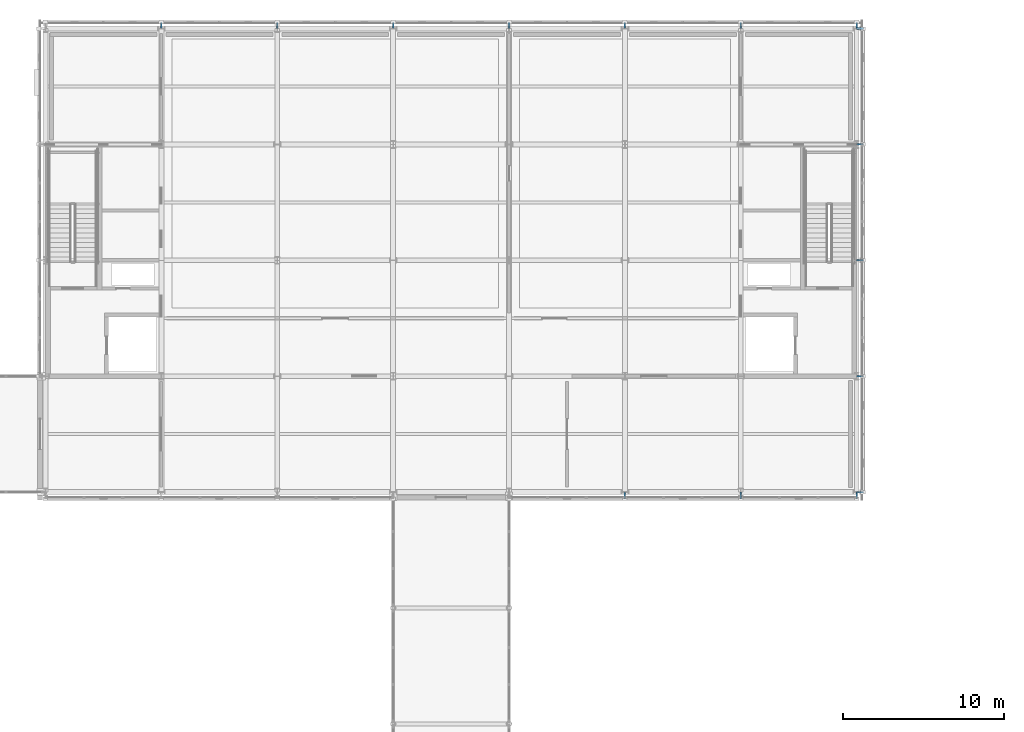
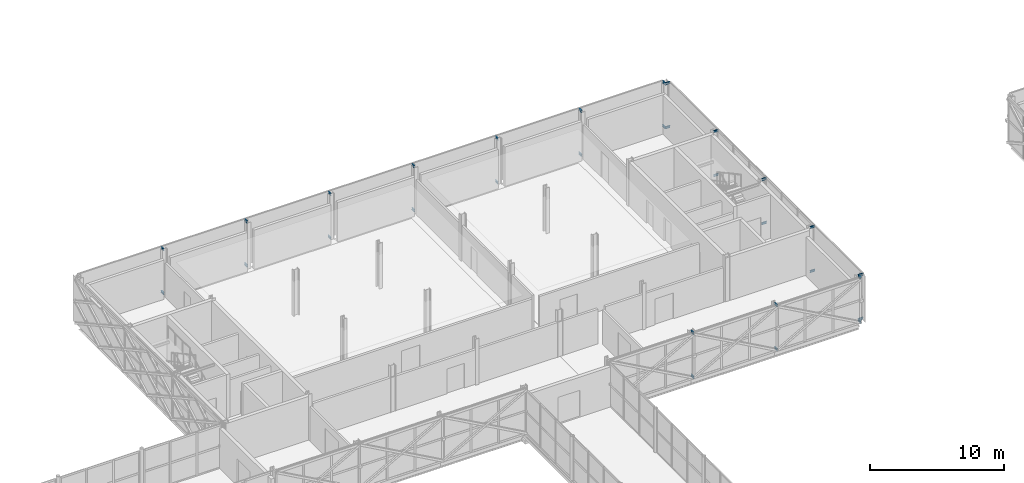
# One storey, part 84 of 146: 30 beams.
"""IFC4 building model written with IfcOpenShell, lengths in metres."""

from ifc_helpers import new_model, si_unit, direction, frame, origin, origin_2d, place, context, subcontext, project, spatial, i_section, extrude, material, material_profile, profile_set, type_object, element, save


model = new_model("IFC4")

# Units and contexts
model_context = context("Model", 3, precision=1e-05, world=origin(), true_north=direction((0.0, 1.0)))
body_context = subcontext(model_context, "Body", "Model", "MODEL_VIEW")
ifc_project = project(units=[si_unit("LENGTHUNIT", "METRE"), si_unit("AREAUNIT", "SQUARE_METRE"), si_unit("VOLUMEUNIT", "CUBIC_METRE"), si_unit("PLANEANGLEUNIT", "RADIAN"), si_unit("MASSUNIT", "GRAM", prefix="KILO")], contexts=[model_context])

# Site, building, storey
site_placement = place(None, origin())
site = spatial("IfcSite", under=ifc_project, at=site_placement, CompositionType="ELEMENT")
building_placement = place(site_placement, origin())
building = spatial("IfcBuilding", under=site, at=building_placement, Name="Zlatovets Crest Museum", CompositionType="ELEMENT")
storey_placement = place(building_placement, frame((0.0, 0.0, 4.5)))
storey = spatial("IfcBuildingStorey", under=building, at=storey_placement, Name="L01", CompositionType="ELEMENT", Elevation=4.5)

# Beams
ifc_material = material(Name="Structural steel S355J2", Category="steel")
ifc_material_profile = material_profile(ifc_material, i_section(OverallWidth=0.10009765625, OverallDepth=0.199951171875, WebThickness=0.005615234375, FlangeThickness=0.008544921875, FilletRadius=0.011962890625, at=origin_2d()), Name="IPE 200")
ifc_profile_set = profile_set([ifc_material_profile], Name="Structural steel S355J2")
beam_type = type_object("IfcBeamType", Name="Beam_PR-02", PredefinedType="LINTEL", material=ifc_profile_set)
for number, where, z_axis, x_axis, name in (
    (1, (93.60009765625, 86.39990234375, 0.10009765625), (0.0, -1.0, 0.0), (1.0, 0.0, 0.0), "Lattice Structural Outrigger Tie"),
    (2, (93.60009765625, 86.39990234375, 4.10009765625), (0.0, -1.0, 0.0), (1.0, 0.0, 0.0), "Lattice Structural Outrigger Tie"),
    (3, (100.800048828125, 86.39990234375, 0.10009765625), (0.0, -1.0, 0.0), (1.0, 0.0, 0.0), "Lattice Structural Outrigger Tie"),
    (4, (100.800048828125, 86.39990234375, 4.10009765625), (0.0, -1.0, 0.0), (1.0, 0.0, 0.0), "Lattice Structural Outrigger Tie"),
    (5, (108.0, 86.39990234375, 0.10009765625), (0.0, -1.0, 0.0), (1.0, 0.0, 0.0), "Lattice Structural Outrigger Tie"),
    (6, (108.0, 86.39990234375, 4.10009765625), (0.0, -1.0, 0.0), (1.0, 0.0, 0.0), "Lattice Structural Outrigger Tie"),
    (7, (108.0, 86.39990234375, 0.10009765625), (1.0, 0.0, 0.0), (0.0, 1.0, 0.0), "Lattice Structural Outrigger Tie"),
    (8, (108.0, 86.39990234375, 4.10009765625), (1.0, 0.0, 0.0), (0.0, 1.0, 0.0), "Lattice Structural Outrigger Tie"),
    (9, (108.0, 93.60009765625, 0.10009765625), (1.0, 0.0, 0.0), (0.0, 1.0, 0.0), "Lattice Structural Outrigger Tie"),
    (10, (108.0, 93.60009765625, 4.10009765625), (1.0, 0.0, 0.0), (0.0, 1.0, 0.0), "Lattice Structural Outrigger Tie"),
    (11, (108.0, 100.800048828125, 0.10009765625), (1.0, 0.0, 0.0), (0.0, 1.0, 0.0), "Lattice Structural Outrigger Tie"),
    (12, (108.0, 100.800048828125, 4.10009765625), (1.0, 0.0, 0.0), (0.0, 1.0, 0.0), "Lattice Structural Outrigger Tie"),
    (13, (108.0, 108.0, 0.10009765625), (1.0, 0.0, 0.0), (0.0, 1.0, 0.0), "Lattice Structural Outrigger Tie"),
    (14, (108.0, 108.0, 4.10009765625), (1.0, 0.0, 0.0), (0.0, 1.0, 0.0), "Lattice Structural Outrigger Tie"),
    (15, (108.0, 115.199951171875, 0.10009765625), (1.0, 0.0, 0.0), (0.0, 1.0, 0.0), "Lattice Structural Outrigger Tie"),
    (16, (108.0, 115.199951171875, 4.10009765625), (1.0, 0.0, 0.0), (0.0, 1.0, 0.0), "Lattice Structural Outrigger Tie"),
):
    element("IfcBeam", number, at=place(storey_placement, frame(where, z_axis=z_axis, x_axis=x_axis)), inside=storey, type_object=beam_type, Name=name, PredefinedType="LINTEL", context=body_context, shape_type="SweptSolid", body=[
        extrude(i_section(OverallWidth=0.10009765625, OverallDepth=0.199951171875, WebThickness=0.005615234375, FlangeThickness=0.008544921875, FilletRadius=0.011962890625, at=origin_2d()), origin(), (0.0, 0.0, 1.0), 0.419921875),
    ])
for number, where, z_axis, x_axis, name in (
    (17, (108.0, 115.199951171875, 0.10009765625), (0.0, 1.0, 0.0), (-1.0, 0.0, 0.0), "Lattice Structural Outrigger Tie"),
    (18, (108.0, 115.199951171875, 4.10009765625), (0.0, 1.0, 0.0), (-1.0, 0.0, 0.0), "Lattice Structural Outrigger Tie"),
    (19, (100.800048828125, 115.199951171875, 0.10009765625), (0.0, 1.0, 0.0), (-1.0, 0.0, 0.0), "Lattice Structural Outrigger Tie"),
    (20, (100.800048828125, 115.199951171875, 4.10009765625), (0.0, 1.0, 0.0), (-1.0, 0.0, 0.0), "Lattice Structural Outrigger Tie"),
    (21, (93.60009765625, 115.199951171875, 0.10009765625), (0.0, 1.0, 0.0), (-1.0, 0.0, 0.0), "Lattice Structural Outrigger Tie"),
    (22, (93.60009765625, 115.199951171875, 4.10009765625), (0.0, 1.0, 0.0), (-1.0, 0.0, 0.0), "Lattice Structural Outrigger Tie"),
    (23, (86.39990234375, 115.199951171875, 0.10009765625), (0.0, 1.0, 0.0), (-1.0, 0.0, 0.0), "Lattice Structural Outrigger Tie"),
    (24, (86.39990234375, 115.199951171875, 4.10009765625), (0.0, 1.0, 0.0), (-1.0, 0.0, 0.0), "Lattice Structural Outrigger Tie"),
    (25, (79.199951171875, 115.199951171875, 0.10009765625), (0.0, 1.0, 0.0), (-1.0, 0.0, 0.0), "Lattice Structural Outrigger Tie"),
    (26, (79.199951171875, 115.199951171875, 4.10009765625), (0.0, 1.0, 0.0), (-1.0, 0.0, 0.0), "Lattice Structural Outrigger Tie"),
    (27, (72.0, 115.199951171875, 0.10009765625), (0.0, 1.0, 0.0), (-1.0, 0.0, 0.0), "Lattice Structural Outrigger Tie"),
    (28, (72.0, 115.199951171875, 4.10009765625), (0.0, 1.0, 0.0), (-1.0, 0.0, 0.0), "Lattice Structural Outrigger Tie"),
    (29, (64.800048828125, 115.199951171875, 0.10009765625), (0.0, 1.0, 0.0), (-1.0, 0.0, 0.0), "Lattice Structural Outrigger Tie"),
    (30, (64.800048828125, 115.199951171875, 4.10009765625), (0.0, 1.0, 0.0), (-1.0, 0.0, 0.0), "Lattice Structural Outrigger Tie"),
):
    element("IfcBeam", number, at=place(storey_placement, frame(where, z_axis=z_axis, x_axis=x_axis)), inside=storey, type_object=beam_type, Name=name, PredefinedType="LINTEL", context=body_context, shape_type="SweptSolid", body=[
        extrude(i_section(OverallWidth=0.10009765625, OverallDepth=0.199951171875, WebThickness=0.005615234375, FlangeThickness=0.008544921875, FilletRadius=0.011962890625, at=origin_2d()), origin(), (0.0, 0.0, 1.0), 0.420166015625),
    ])

save(model, "model.ifc")
